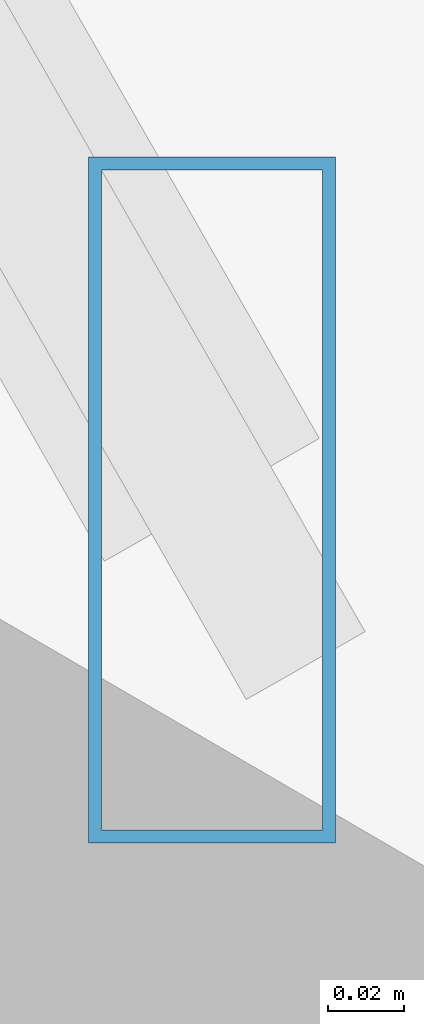
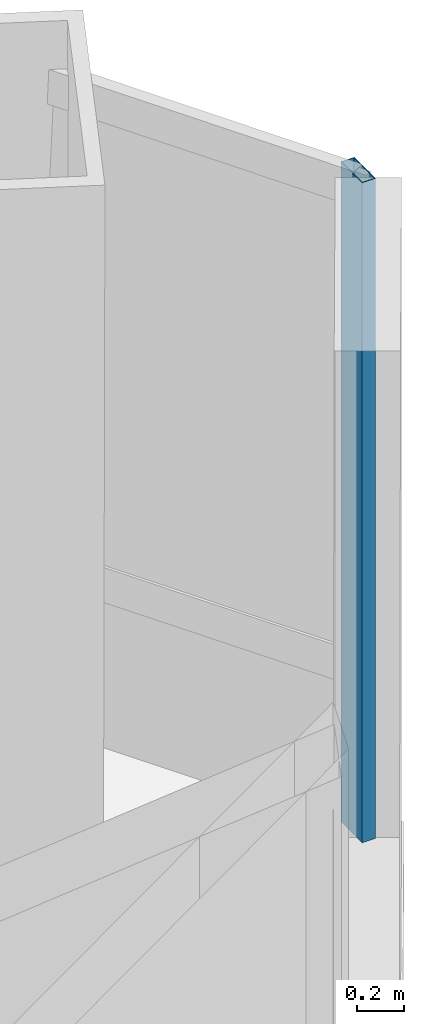
# One storey, part 20 of 38: 1 member, 1 element without a shape of its own.
"""IFC4 building model written with IfcOpenShell, lengths in metres."""

from ifc_helpers import new_model, si_unit, direction, frame, origin, origin_2d, place, context, subcontext, project, spatial, hollow_rectangle, extrude, source, transform, mapped, material, material_profile, profile_set, type_object, type_shapes, element, aggregate, save


model = new_model("IFC4")

# Units and contexts
model_context = context("Model", 3, precision=1e-05, world=origin(), true_north=direction((0.0, 1.0)))
body_context = subcontext(model_context, "Body", "Model", "MODEL_VIEW")
ifc_project = project(units=[si_unit("LENGTHUNIT", "METRE"), si_unit("AREAUNIT", "SQUARE_METRE"), si_unit("VOLUMEUNIT", "CUBIC_METRE"), si_unit("PLANEANGLEUNIT", "RADIAN"), si_unit("MASSUNIT", "GRAM", prefix="KILO")], contexts=[model_context])

# Site, building, storey
site_placement = place(None, origin())
site = spatial("IfcSite", under=ifc_project, at=site_placement, CompositionType="ELEMENT")
building_placement = place(site_placement, origin())
building = spatial("IfcBuilding", under=site, at=building_placement, Name="Caelisora Broadcast Tower", CompositionType="ELEMENT")
storey_placement = place(building_placement, frame((0.0, 0.0, 67.75)))
storey = spatial("IfcBuildingStorey", under=building, at=storey_placement, Name="L17", CompositionType="ELEMENT", Elevation=67.75)

# Curtain wall, member
ifc_material_1 = material(Name="Unitised Aluminium and Low-E Glass Curtain Wall", Category="glass")
curtain_wall_type = type_object("IfcCurtainWallType", Name="CW-Z1", PredefinedType="NOTDEFINED", material=ifc_material_1)
curtain_wall_placement = place(storey_placement, origin())
curtain_wall = element("IfcCurtainWall", 1, at=curtain_wall_placement, inside=storey, type_object=curtain_wall_type, Name="L17 curtain wall CW-Z1", PredefinedType="NOTDEFINED")
ifc_material_2 = material(Name="Aluminium 6063-T6 Anodised Terracotta Bronze", Category="aluminium")
ifc_material_profile = material_profile(ifc_material_2, hollow_rectangle(XDim=0.06494140625, YDim=0.179931640625, WallThickness=0.00341796875, at=origin_2d()), Name="Aluminium 6063-T6 Anodised Terracotta Bronze")
ifc_profile_set = profile_set([ifc_material_profile], Name="Aluminium 6063-T6 Anodised Terracotta Bronze")
member_type = type_object("IfcMemberType", Name="CWM-02", PredefinedType="MULLION", material=ifc_profile_set)
shared_shape = source(origin(), body_context, "Body", "SweptSolid", [
    extrude(hollow_rectangle(XDim=0.06494140625, YDim=0.179931640625, WallThickness=0.00341796875, at=origin_2d()), origin(), (0.0, 0.0, 1.0), 3.39990234375),
])
type_shapes(member_type, [shared_shape])
member_placement = place(storey_placement, frame((62.92822265625, 19.00244140625, 0.0), z_axis=(0.0, 0.0, 1.0), x_axis=(1.0, 0.0, 0.0)))
member = element("IfcMember", 2, at=member_placement, type_object=member_type, Name="L17-CW-B03 mullion #3", PredefinedType="MULLION", context=body_context, shape_type="MappedRepresentation", body=[
    mapped(shared_shape, transform((0.0, 0.0, 0.0), scale=1.0)),
])
aggregate(curtain_wall, [member])

save(model, "model.ifc")
